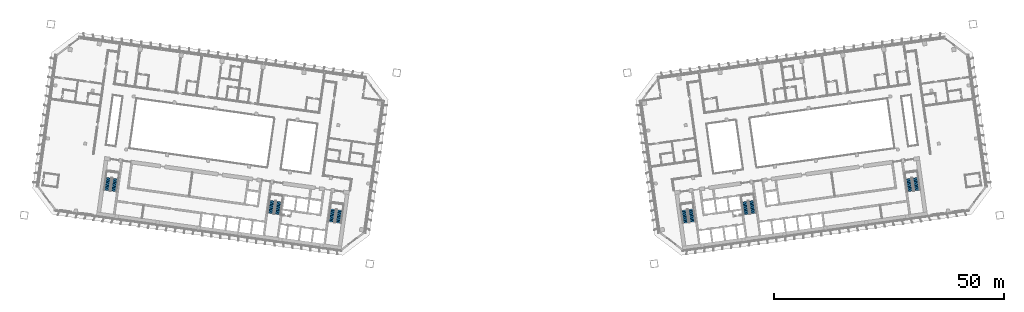
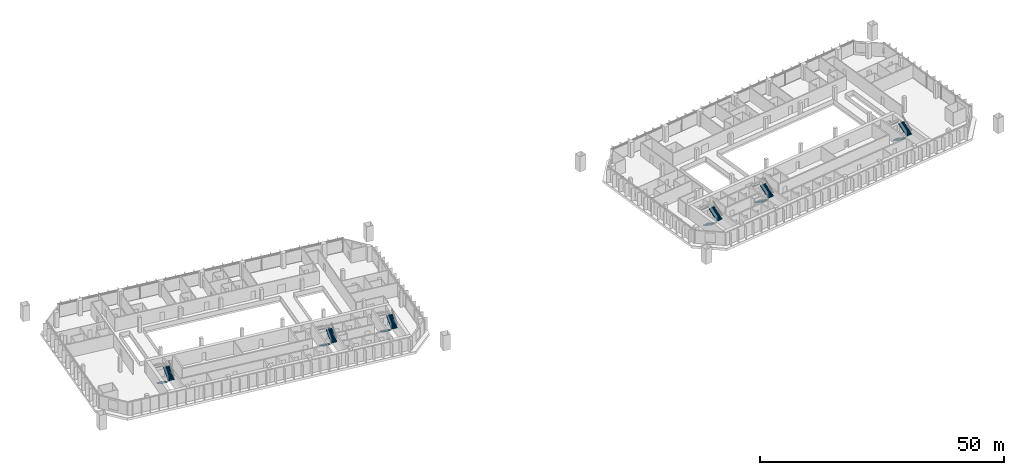
# One storey, part 22 of 25: 12 stair flights, 6 elements without a shape of their own.
"""IFC4 building model written with IfcOpenShell, lengths in metres."""

from ifc_helpers import new_model, si_unit, direction, frame, origin, place, context, subcontext, project, spatial, polyline, outline, extrude, material, type_object, element, aggregate, save


model = new_model("IFC4")

# Units and contexts
model_context = context("Model", 3, precision=1e-05, world=origin(), true_north=direction((0.0, 1.0)))
body_context = subcontext(model_context, "Body", "Model", "MODEL_VIEW")
ifc_project = project(units=[si_unit("LENGTHUNIT", "METRE"), si_unit("AREAUNIT", "SQUARE_METRE"), si_unit("VOLUMEUNIT", "CUBIC_METRE"), si_unit("PLANEANGLEUNIT", "RADIAN"), si_unit("MASSUNIT", "GRAM", prefix="KILO")], contexts=[model_context])

# Site, building, storey
site_placement = place(None, origin())
site = spatial("IfcSite", under=ifc_project, at=site_placement, CompositionType="ELEMENT")
building_placement = place(site_placement, origin())
building = spatial("IfcBuilding", under=site, at=building_placement, Name="Mirante Cascada Hotel Towers", CompositionType="ELEMENT")
storey_placement = place(building_placement, frame((0.0, 0.0, 129.1)))
storey = spatial("IfcBuildingStorey", under=building, at=storey_placement, Name="L29", CompositionType="ELEMENT", Elevation=129.1)

# Stair, stair flights
ifc_material_1 = material(Name="Concrete C35/45", Category="concrete")
stair_type = type_object("IfcStairType", Name="Exit stair half-turn 1350 concrete C35/45", PredefinedType="HALF_TURN_STAIR", material=ifc_material_1)
stair_1_placement = place(storey_placement, origin())
stair_1 = element("IfcStair", 1, at=stair_1_placement, inside=storey, type_object=stair_type, Name="L29 Exit stair A", PredefinedType="HALF_TURN_STAIR")
ifc_material_2 = material(Name="Concrete C35/45", Category="concrete")
stair_flight_type = type_object("IfcStairFlightType", Name="Exit stair flight 1350 concrete C35/45", PredefinedType="STRAIGHT", material=ifc_material_2)
stair_flight_1_placement = place(storey_placement, frame((-38.9417, -11.195, 0.0), z_axis=(0.0, 0.0, 1.0), x_axis=(-0.1391731, -0.9902681, 0.0)))
stair_flight_1 = element("IfcStairFlight", 2, at=stair_flight_1_placement, type_object=stair_flight_type, Name="ST1-A flight 1", NumberOfRisers=11, NumberOfTreads=10, PredefinedType="STRAIGHT", RiserHeight=0.172727273, TreadLength=0.28, context=body_context, shape_type="SweptSolid", body=[
    extrude(outline(polyline([(0.0, 0.0), (0.0, 0.1727), (0.28, 0.1727), (0.28, 0.3455), (0.56, 0.3455), (0.56, 0.5182), (0.84, 0.5182), (0.84, 0.6909), (1.12, 0.6909), (1.12, 0.8636), (1.4, 0.8636), (1.4, 1.0364), (1.68, 1.0364), (1.68, 1.2091), (1.96, 1.2091), (1.96, 1.3818), (2.24, 1.3818), (2.24, 1.5545), (2.52, 1.5545), (2.52, 1.7273), (2.8, 1.7273), (2.8, 1.9), (2.8, 1.551), (0.2857, 0.0), (0.0, 0.0)])), frame((0.0, 0.675, 0.0), z_axis=(0.0, -1.0, 0.0), x_axis=(1.0, 0.0, 0.0)), (0.0, 0.0, 1.0), 1.35),
])
stair_flight_2_placement = place(storey_placement, frame((-37.846, -14.1765, 1.9), z_axis=(0.0, 0.0, 1.0), x_axis=(0.1391731, 0.9902681, 0.0)))
stair_flight_2 = element("IfcStairFlight", 3, at=stair_flight_2_placement, type_object=stair_flight_type, Name="ST1-A flight 2", NumberOfRisers=11, NumberOfTreads=10, PredefinedType="STRAIGHT", RiserHeight=0.172727273, TreadLength=0.28, context=body_context, shape_type="SweptSolid", body=[
    extrude(outline(polyline([(0.0, 0.0), (0.0, 0.1727), (0.28, 0.1727), (0.28, 0.3455), (0.56, 0.3455), (0.56, 0.5182), (0.84, 0.5182), (0.84, 0.6909), (1.12, 0.6909), (1.12, 0.8636), (1.4, 0.8636), (1.4, 1.0364), (1.68, 1.0364), (1.68, 1.2091), (1.96, 1.2091), (1.96, 1.3818), (2.24, 1.3818), (2.24, 1.5545), (2.52, 1.5545), (2.52, 1.7273), (2.8, 1.7273), (2.8, 1.9), (2.8, 1.551), (0.2857, 0.0), (0.0, 0.0)])), frame((0.0, 0.675, 0.0), z_axis=(0.0, -1.0, 0.0), x_axis=(1.0, 0.0, 0.0)), (0.0, 0.0, 1.0), 1.35),
])
aggregate(stair_1, [stair_flight_1, stair_flight_2])

stair_2_placement = place(storey_placement, origin())
stair_2 = element("IfcStair", 4, at=stair_2_placement, inside=storey, type_object=stair_type, Name="L29 Exit stair B", PredefinedType="HALF_TURN_STAIR")
stair_flight_3_placement = place(storey_placement, frame((-52.1618, -9.3371, 0.0), z_axis=(0.0, 0.0, 1.0), x_axis=(-0.1391731, -0.9902681, 0.0)))
stair_flight_3 = element("IfcStairFlight", 5, at=stair_flight_3_placement, type_object=stair_flight_type, Name="ST1-B flight 1", NumberOfRisers=11, NumberOfTreads=10, PredefinedType="STRAIGHT", RiserHeight=0.172727273, TreadLength=0.28, context=body_context, shape_type="SweptSolid", body=[
    extrude(outline(polyline([(0.0, 0.0), (0.0, 0.1727), (0.28, 0.1727), (0.28, 0.3455), (0.56, 0.3455), (0.56, 0.5182), (0.84, 0.5182), (0.84, 0.6909), (1.12, 0.6909), (1.12, 0.8636), (1.4, 0.8636), (1.4, 1.0364), (1.68, 1.0364), (1.68, 1.2091), (1.96, 1.2091), (1.96, 1.3818), (2.24, 1.3818), (2.24, 1.5545), (2.52, 1.5545), (2.52, 1.7273), (2.8, 1.7273), (2.8, 1.9), (2.8, 1.551), (0.2857, 0.0), (0.0, 0.0)])), frame((0.0, 0.675, 0.0), z_axis=(0.0, -1.0, 0.0), x_axis=(1.0, 0.0, 0.0)), (0.0, 0.0, 1.0), 1.35),
])
stair_flight_4_placement = place(storey_placement, frame((-51.0661, -12.3186, 1.9), z_axis=(0.0, 0.0, 1.0), x_axis=(0.1391731, 0.9902681, 0.0)))
stair_flight_4 = element("IfcStairFlight", 6, at=stair_flight_4_placement, type_object=stair_flight_type, Name="ST1-B flight 2", NumberOfRisers=11, NumberOfTreads=10, PredefinedType="STRAIGHT", RiserHeight=0.172727273, TreadLength=0.28, context=body_context, shape_type="SweptSolid", body=[
    extrude(outline(polyline([(0.0, 0.0), (0.0, 0.1727), (0.28, 0.1727), (0.28, 0.3455), (0.56, 0.3455), (0.56, 0.5182), (0.84, 0.5182), (0.84, 0.6909), (1.12, 0.6909), (1.12, 0.8636), (1.4, 0.8636), (1.4, 1.0364), (1.68, 1.0364), (1.68, 1.2091), (1.96, 1.2091), (1.96, 1.3818), (2.24, 1.3818), (2.24, 1.5545), (2.52, 1.5545), (2.52, 1.7273), (2.8, 1.7273), (2.8, 1.9), (2.8, 1.551), (0.2857, 0.0), (0.0, 0.0)])), frame((0.0, 0.675, 0.0), z_axis=(0.0, -1.0, 0.0), x_axis=(1.0, 0.0, 0.0)), (0.0, 0.0, 1.0), 1.35),
])
aggregate(stair_2, [stair_flight_3, stair_flight_4])

stair_3_placement = place(storey_placement, origin())
stair_3 = element("IfcStair", 7, at=stair_3_placement, inside=storey, type_object=stair_type, Name="L29 Exit stair C", PredefinedType="HALF_TURN_STAIR")
stair_flight_5_placement = place(storey_placement, frame((-87.8115, -4.3268, 0.0), z_axis=(0.0, 0.0, 1.0), x_axis=(-0.1391731, -0.9902681, 0.0)))
stair_flight_5 = element("IfcStairFlight", 8, at=stair_flight_5_placement, type_object=stair_flight_type, Name="ST1-C flight 1", NumberOfRisers=11, NumberOfTreads=10, PredefinedType="STRAIGHT", RiserHeight=0.172727273, TreadLength=0.28, context=body_context, shape_type="SweptSolid", body=[
    extrude(outline(polyline([(0.0, 0.0), (0.0, 0.1727), (0.28, 0.1727), (0.28, 0.3455), (0.56, 0.3455), (0.56, 0.5182), (0.84, 0.5182), (0.84, 0.6909), (1.12, 0.6909), (1.12, 0.8636), (1.4, 0.8636), (1.4, 1.0364), (1.68, 1.0364), (1.68, 1.2091), (1.96, 1.2091), (1.96, 1.3818), (2.24, 1.3818), (2.24, 1.5545), (2.52, 1.5545), (2.52, 1.7273), (2.8, 1.7273), (2.8, 1.9), (2.8, 1.551), (0.2857, 0.0), (0.0, 0.0)])), frame((0.0, 0.675, 0.0), z_axis=(0.0, -1.0, 0.0), x_axis=(1.0, 0.0, 0.0)), (0.0, 0.0, 1.0), 1.35),
])
stair_flight_6_placement = place(storey_placement, frame((-86.7157, -7.3084, 1.9), z_axis=(0.0, 0.0, 1.0), x_axis=(0.1391731, 0.9902681, 0.0)))
stair_flight_6 = element("IfcStairFlight", 9, at=stair_flight_6_placement, type_object=stair_flight_type, Name="ST1-C flight 2", NumberOfRisers=11, NumberOfTreads=10, PredefinedType="STRAIGHT", RiserHeight=0.172727273, TreadLength=0.28, context=body_context, shape_type="SweptSolid", body=[
    extrude(outline(polyline([(0.0, 0.0), (0.0, 0.1727), (0.28, 0.1727), (0.28, 0.3455), (0.56, 0.3455), (0.56, 0.5182), (0.84, 0.5182), (0.84, 0.6909), (1.12, 0.6909), (1.12, 0.8636), (1.4, 0.8636), (1.4, 1.0364), (1.68, 1.0364), (1.68, 1.2091), (1.96, 1.2091), (1.96, 1.3818), (2.24, 1.3818), (2.24, 1.5545), (2.52, 1.5545), (2.52, 1.7273), (2.8, 1.7273), (2.8, 1.9), (2.8, 1.551), (0.2857, 0.0), (0.0, 0.0)])), frame((0.0, 0.675, 0.0), z_axis=(0.0, -1.0, 0.0), x_axis=(1.0, 0.0, 0.0)), (0.0, 0.0, 1.0), 1.35),
])
aggregate(stair_3, [stair_flight_5, stair_flight_6])

stair_4_placement = place(storey_placement, origin())
stair_4 = element("IfcStair", 10, at=stair_4_placement, inside=storey, type_object=stair_type, Name="L29 Exit stair A", PredefinedType="HALF_TURN_STAIR")
stair_flight_7_placement = place(storey_placement, frame((37.4563, -11.4038, 0.0), z_axis=(0.0, 0.0, 1.0), x_axis=(0.1391731, -0.9902681, 0.0)))
stair_flight_7 = element("IfcStairFlight", 11, at=stair_flight_7_placement, type_object=stair_flight_type, Name="ST2-A flight 1", NumberOfRisers=11, NumberOfTreads=10, PredefinedType="STRAIGHT", RiserHeight=0.172727273, TreadLength=0.28, context=body_context, shape_type="SweptSolid", body=[
    extrude(outline(polyline([(0.0, 0.0), (0.0, 0.1727), (0.28, 0.1727), (0.28, 0.3455), (0.56, 0.3455), (0.56, 0.5182), (0.84, 0.5182), (0.84, 0.6909), (1.12, 0.6909), (1.12, 0.8636), (1.4, 0.8636), (1.4, 1.0364), (1.68, 1.0364), (1.68, 1.2091), (1.96, 1.2091), (1.96, 1.3818), (2.24, 1.3818), (2.24, 1.5545), (2.52, 1.5545), (2.52, 1.7273), (2.8, 1.7273), (2.8, 1.9), (2.8, 1.551), (0.2857, 0.0), (0.0, 0.0)])), frame((0.0, 0.675, 0.0), z_axis=(0.0, -1.0, 0.0), x_axis=(1.0, 0.0, 0.0)), (0.0, 0.0, 1.0), 1.35),
])
stair_flight_8_placement = place(storey_placement, frame((39.3314, -13.9678, 1.9), z_axis=(0.0, 0.0, 1.0), x_axis=(-0.1391731, 0.9902681, 0.0)))
stair_flight_8 = element("IfcStairFlight", 12, at=stair_flight_8_placement, type_object=stair_flight_type, Name="ST2-A flight 2", NumberOfRisers=11, NumberOfTreads=10, PredefinedType="STRAIGHT", RiserHeight=0.172727273, TreadLength=0.28, context=body_context, shape_type="SweptSolid", body=[
    extrude(outline(polyline([(0.0, 0.0), (0.0, 0.1727), (0.28, 0.1727), (0.28, 0.3455), (0.56, 0.3455), (0.56, 0.5182), (0.84, 0.5182), (0.84, 0.6909), (1.12, 0.6909), (1.12, 0.8636), (1.4, 0.8636), (1.4, 1.0364), (1.68, 1.0364), (1.68, 1.2091), (1.96, 1.2091), (1.96, 1.3818), (2.24, 1.3818), (2.24, 1.5545), (2.52, 1.5545), (2.52, 1.7273), (2.8, 1.7273), (2.8, 1.9), (2.8, 1.551), (0.2857, 0.0), (0.0, 0.0)])), frame((0.0, 0.675, 0.0), z_axis=(0.0, -1.0, 0.0), x_axis=(1.0, 0.0, 0.0)), (0.0, 0.0, 1.0), 1.35),
])
aggregate(stair_4, [stair_flight_7, stair_flight_8])

stair_5_placement = place(storey_placement, origin())
stair_5 = element("IfcStair", 13, at=stair_5_placement, inside=storey, type_object=stair_type, Name="L29 Exit stair B", PredefinedType="HALF_TURN_STAIR")
stair_flight_9_placement = place(storey_placement, frame((50.6764, -9.5458, 0.0), z_axis=(0.0, 0.0, 1.0), x_axis=(0.1391731, -0.9902681, 0.0)))
stair_flight_9 = element("IfcStairFlight", 14, at=stair_flight_9_placement, type_object=stair_flight_type, Name="ST2-B flight 1", NumberOfRisers=11, NumberOfTreads=10, PredefinedType="STRAIGHT", RiserHeight=0.172727273, TreadLength=0.28, context=body_context, shape_type="SweptSolid", body=[
    extrude(outline(polyline([(0.0, 0.0), (0.0, 0.1727), (0.28, 0.1727), (0.28, 0.3455), (0.56, 0.3455), (0.56, 0.5182), (0.84, 0.5182), (0.84, 0.6909), (1.12, 0.6909), (1.12, 0.8636), (1.4, 0.8636), (1.4, 1.0364), (1.68, 1.0364), (1.68, 1.2091), (1.96, 1.2091), (1.96, 1.3818), (2.24, 1.3818), (2.24, 1.5545), (2.52, 1.5545), (2.52, 1.7273), (2.8, 1.7273), (2.8, 1.9), (2.8, 1.551), (0.2857, 0.0), (0.0, 0.0)])), frame((0.0, 0.675, 0.0), z_axis=(0.0, -1.0, 0.0), x_axis=(1.0, 0.0, 0.0)), (0.0, 0.0, 1.0), 1.35),
])
stair_flight_10_placement = place(storey_placement, frame((52.5515, -12.1098, 1.9), z_axis=(0.0, 0.0, 1.0), x_axis=(-0.1391731, 0.9902681, 0.0)))
stair_flight_10 = element("IfcStairFlight", 15, at=stair_flight_10_placement, type_object=stair_flight_type, Name="ST2-B flight 2", NumberOfRisers=11, NumberOfTreads=10, PredefinedType="STRAIGHT", RiserHeight=0.172727273, TreadLength=0.28, context=body_context, shape_type="SweptSolid", body=[
    extrude(outline(polyline([(0.0, 0.0), (0.0, 0.1727), (0.28, 0.1727), (0.28, 0.3455), (0.56, 0.3455), (0.56, 0.5182), (0.84, 0.5182), (0.84, 0.6909), (1.12, 0.6909), (1.12, 0.8636), (1.4, 0.8636), (1.4, 1.0364), (1.68, 1.0364), (1.68, 1.2091), (1.96, 1.2091), (1.96, 1.3818), (2.24, 1.3818), (2.24, 1.5545), (2.52, 1.5545), (2.52, 1.7273), (2.8, 1.7273), (2.8, 1.9), (2.8, 1.551), (0.2857, 0.0), (0.0, 0.0)])), frame((0.0, 0.675, 0.0), z_axis=(0.0, -1.0, 0.0), x_axis=(1.0, 0.0, 0.0)), (0.0, 0.0, 1.0), 1.35),
])
aggregate(stair_5, [stair_flight_9, stair_flight_10])

stair_6_placement = place(storey_placement, origin())
stair_6 = element("IfcStair", 16, at=stair_6_placement, inside=storey, type_object=stair_type, Name="L29 Exit stair C", PredefinedType="HALF_TURN_STAIR")
stair_flight_11_placement = place(storey_placement, frame((86.326, -4.5356, 0.0), z_axis=(0.0, 0.0, 1.0), x_axis=(0.1391731, -0.9902681, 0.0)))
stair_flight_11 = element("IfcStairFlight", 17, at=stair_flight_11_placement, type_object=stair_flight_type, Name="ST2-C flight 1", NumberOfRisers=11, NumberOfTreads=10, PredefinedType="STRAIGHT", RiserHeight=0.172727273, TreadLength=0.28, context=body_context, shape_type="SweptSolid", body=[
    extrude(outline(polyline([(0.0, 0.0), (0.0, 0.1727), (0.28, 0.1727), (0.28, 0.3455), (0.56, 0.3455), (0.56, 0.5182), (0.84, 0.5182), (0.84, 0.6909), (1.12, 0.6909), (1.12, 0.8636), (1.4, 0.8636), (1.4, 1.0364), (1.68, 1.0364), (1.68, 1.2091), (1.96, 1.2091), (1.96, 1.3818), (2.24, 1.3818), (2.24, 1.5545), (2.52, 1.5545), (2.52, 1.7273), (2.8, 1.7273), (2.8, 1.9), (2.8, 1.551), (0.2857, 0.0), (0.0, 0.0)])), frame((0.0, 0.675, 0.0), z_axis=(0.0, -1.0, 0.0), x_axis=(1.0, 0.0, 0.0)), (0.0, 0.0, 1.0), 1.35),
])
stair_flight_12_placement = place(storey_placement, frame((88.2011, -7.0996, 1.9), z_axis=(0.0, 0.0, 1.0), x_axis=(-0.1391731, 0.9902681, 0.0)))
stair_flight_12 = element("IfcStairFlight", 18, at=stair_flight_12_placement, type_object=stair_flight_type, Name="ST2-C flight 2", NumberOfRisers=11, NumberOfTreads=10, PredefinedType="STRAIGHT", RiserHeight=0.172727273, TreadLength=0.28, context=body_context, shape_type="SweptSolid", body=[
    extrude(outline(polyline([(0.0, 0.0), (0.0, 0.1727), (0.28, 0.1727), (0.28, 0.3455), (0.56, 0.3455), (0.56, 0.5182), (0.84, 0.5182), (0.84, 0.6909), (1.12, 0.6909), (1.12, 0.8636), (1.4, 0.8636), (1.4, 1.0364), (1.68, 1.0364), (1.68, 1.2091), (1.96, 1.2091), (1.96, 1.3818), (2.24, 1.3818), (2.24, 1.5545), (2.52, 1.5545), (2.52, 1.7273), (2.8, 1.7273), (2.8, 1.9), (2.8, 1.551), (0.2857, 0.0), (0.0, 0.0)])), frame((0.0, 0.675, 0.0), z_axis=(0.0, -1.0, 0.0), x_axis=(1.0, 0.0, 0.0)), (0.0, 0.0, 1.0), 1.35),
])
aggregate(stair_6, [stair_flight_11, stair_flight_12])

save(model, "model.ifc")
